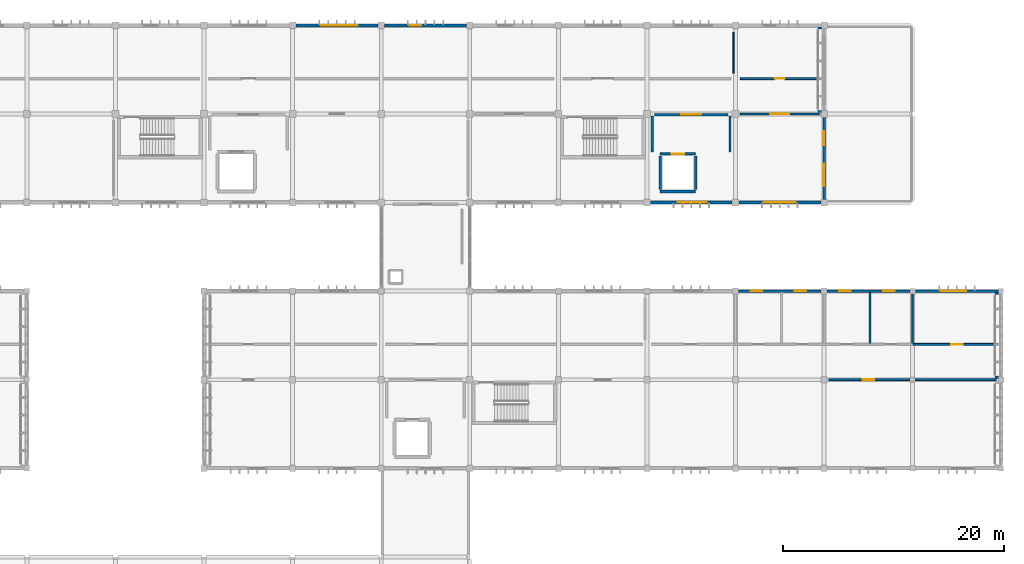
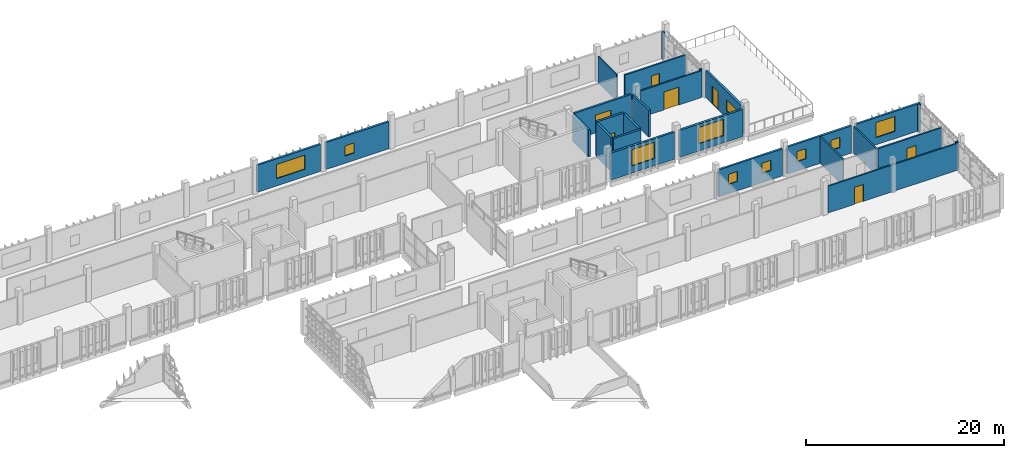
# One storey, part 38 of 48: 26 walls, 10 windows, 7 doors, 17 openings.
"""IFC4 building model written with IfcOpenShell, lengths in metres."""

from ifc_helpers import new_model, si_unit, direction, frame, frame_2d, origin, place, context, subcontext, project, spatial, rectangle, extrude, material, layer, layer_set, type_object, element, fill, save


model = new_model("IFC4")

# Units and contexts
model_context = context("Model", 3, precision=1e-05, world=origin(), true_north=direction((0.0, 1.0)))
body_context = subcontext(model_context, "Body", "Model", "MODEL_VIEW")
ifc_project = project(units=[si_unit("LENGTHUNIT", "METRE"), si_unit("AREAUNIT", "SQUARE_METRE"), si_unit("VOLUMEUNIT", "CUBIC_METRE"), si_unit("PLANEANGLEUNIT", "RADIAN"), si_unit("MASSUNIT", "GRAM", prefix="KILO")], contexts=[model_context])

# Site, building, storey
site_placement = place(None, origin())
site = spatial("IfcSite", under=ifc_project, at=site_placement, CompositionType="ELEMENT")
building_placement = place(site_placement, origin())
building = spatial("IfcBuilding", under=site, at=building_placement, Name="Jelvoka-Kovrelna Polytechnic", CompositionType="ELEMENT")
storey_placement = place(building_placement, frame((0.0, 0.0, 22.199951171875)))
storey = spatial("IfcBuildingStorey", under=building, at=storey_placement, Name="L06", CompositionType="ELEMENT", Elevation=22.199951171875)

# Wall, opening, door
ifc_material_1 = material(Name="Concrete C35/45", Category="concrete")
ifc_layer_1 = layer(ifc_material_1, 0.219970703125)
ifc_layer_set_1 = layer_set([ifc_layer_1], Name="Concrete C35/45")
wall_type_1 = type_object("IfcWallType", Name="Wall_Compartment_220", PredefinedType="PARTITIONING", material=ifc_layer_set_1)
wall_1_placement = place(storey_placement, frame((168.699951171875, 63.949951171875, 0.0), z_axis=(0.0, 0.0, 1.0), x_axis=(1.0, 0.0, 0.0)))
wall_1 = element("IfcWall", 1, at=wall_1_placement, inside=storey, type_object=wall_type_1, Name="L06 interior wall 0374", PredefinedType="PARTITIONING", context=body_context, shape_type="SweptSolid", body=[
    extrude(rectangle(XDim=6.60009765625, YDim=0.219970703125, at=frame_2d((3.300048828125, 0.0))), origin(), (0.0, 0.0, 1.0), 3.300048828125),
])
opening_1_placement = place(wall_1_placement, frame((2.39990234375, 0.0, 0.0)))
opening_1 = element("IfcOpeningElement", 2, at=opening_1_placement, cuts=wall_1, Name="Opening FD-L06-079", PredefinedType="OPENING", context=body_context, shape_type="SweptSolid", body=[
    extrude(rectangle(XDim=1.800048828125, YDim=2.199951171875, at=frame_2d((0.89990234375, 1.10009765625))), frame((0.0, 0.119873046875, 0.0), z_axis=(0.0, -1.0, 0.0), x_axis=(1.0, 0.0, 0.0)), (0.0, 0.0, 1.0), 0.239990234375),
])
ifc_material_2 = material(Name="Paired steel corridor fire door", Category="steel")
door_type_1 = type_object("IfcDoorType", Name="Door_Fire_FD03", OperationType="NOTDEFINED", PredefinedType="DOOR", material=ifc_material_2)
door_1_placement = place(opening_1_placement, origin())
door_1 = element("IfcDoor", 3, at=door_1_placement, inside=storey, type_object=door_type_1, Name="L06 interior door FD-L06-079", OperationType="DOUBLE_DOOR_SINGLE_SWING", OverallHeight=2.199951171875, OverallWidth=1.800048828125, PredefinedType="DOOR", context=body_context, shape_type="SweptSolid", body=[
    extrude(rectangle(XDim=1.800048828125, YDim=2.199951171875, at=frame_2d((0.89990234375, 1.10009765625))), frame((0.0, 0.02490234375, 0.0), z_axis=(0.0, -1.0, 0.0), x_axis=(1.0, 0.0, 0.0)), (0.0, 0.0, 1.0), 0.050048828125),
])
fill(opening_1, door_1)

# Walls
for number, where, z_axis, x_axis, name in (
    (4, (168.5, 60.550048828125, 0.0), (0.0, 0.0, 1.0), (0.0, 1.0, 0.0), "L06 interior wall 0375"),
    (5, (175.5, 60.550048828125, 0.0), (0.0, 0.0, 1.0), (0.0, 1.0, 0.0), "L06 interior wall 0376"),
):
    element("IfcWall", number, at=place(storey_placement, frame(where, z_axis=z_axis, x_axis=x_axis)), inside=storey, type_object=wall_type_1, Name=name, PredefinedType="PARTITIONING", context=body_context, shape_type="SweptSolid", body=[
        extrude(rectangle(XDim=3.25, YDim=0.219970703125, at=frame_2d((1.625, 0.0))), origin(), (0.0, 0.0, 1.0), 3.300048828125),
    ])
ifc_material_3 = material(Name="Concrete C40/50", Category="concrete")
ifc_layer_2 = layer(ifc_material_3, 0.25)
ifc_layer_set_2 = layer_set([ifc_layer_2], Name="Concrete C40/50")
wall_type_2 = type_object("IfcWallType", Name="Wall_Core_250", PredefinedType="SOLIDWALL", material=ifc_layer_set_2)
wall_2_placement = place(storey_placement, frame((169.199951171875, 57.0, 0.0), z_axis=(0.0, 0.0, 1.0), x_axis=(1.0, 0.0, 0.0)))
element("IfcWall", 6, at=wall_2_placement, inside=storey, type_object=wall_type_2, Name="L06 interior wall 0370", PredefinedType="SOLIDWALL", context=body_context, shape_type="SweptSolid", body=[
    extrude(rectangle(XDim=3.199951171875, YDim=0.25, at=frame_2d((1.60009765625, 0.0))), origin(), (0.0, 0.0, 1.0), 4.199951171875),
])

# Wall, opening, door
wall_3_placement = place(storey_placement, frame((169.199951171875, 60.39990234375, 0.0), z_axis=(0.0, 0.0, 1.0), x_axis=(1.0, 0.0, 0.0)))
wall_3 = element("IfcWall", 7, at=wall_3_placement, inside=storey, type_object=wall_type_2, Name="L06 interior wall 0371", PredefinedType="SOLIDWALL", context=body_context, shape_type="SweptSolid", body=[
    extrude(rectangle(XDim=3.199951171875, YDim=0.25, at=frame_2d((1.60009765625, 0.0))), origin(), (0.0, 0.0, 1.0), 4.199951171875),
])
opening_2_placement = place(wall_3_placement, frame((1.050048828125, 0.0, 0.0)))
opening_2 = element("IfcOpeningElement", 8, at=opening_2_placement, cuts=wall_3, Name="Opening LD-L06-16", PredefinedType="OPENING", context=body_context, shape_type="SweptSolid", body=[
    extrude(rectangle(XDim=1.10009765625, YDim=2.14990234375, at=frame_2d((0.550048828125, 1.074951171875))), frame((0.0, 0.135009765625, 0.0), z_axis=(0.0, -1.0, 0.0), x_axis=(1.0, 0.0, 0.0)), (0.0, 0.0, 1.0), 0.27001953125),
])
ifc_material_4 = material(Name="Brushed stainless steel sliding landing door", Category="steel")
door_type_2 = type_object("IfcDoorType", Name="Door_Lift_LD01", OperationType="NOTDEFINED", PredefinedType="DOOR", material=ifc_material_4)
door_2_placement = place(opening_2_placement, origin())
door_2 = element("IfcDoor", 9, at=door_2_placement, inside=storey, type_object=door_type_2, Name="L06 lift landing sliding door LD-L06-16", OperationType="DOUBLE_DOOR_SLIDING", OverallHeight=2.14990234375, OverallWidth=1.10009765625, PredefinedType="DOOR", context=body_context, shape_type="SweptSolid", body=[
    extrude(rectangle(XDim=1.10009765625, YDim=2.14990234375, at=frame_2d((0.550048828125, 1.074951171875))), frame((0.0, 0.02490234375, 0.0), z_axis=(0.0, -1.0, 0.0), x_axis=(1.0, 0.0, 0.0)), (0.0, 0.0, 1.0), 0.050048828125),
])
fill(opening_2, door_2)

# Walls
for number, where, z_axis, x_axis, name in (
    (10, (169.199951171875, 57.199951171875, 0.0), (0.0, 0.0, 1.0), (0.0, 1.0, 0.0), "L06 interior wall 0372"),
    (11, (172.39990234375, 57.199951171875, 0.0), (0.0, 0.0, 1.0), (0.0, 1.0, 0.0), "L06 interior wall 0373"),
):
    element("IfcWall", number, at=place(storey_placement, frame(where, z_axis=z_axis, x_axis=x_axis)), inside=storey, type_object=wall_type_2, Name=name, PredefinedType="SOLIDWALL", context=body_context, shape_type="SweptSolid", body=[
        extrude(rectangle(XDim=3.0, YDim=0.25, at=frame_2d((1.5, 0.0))), origin(), (0.0, 0.0, 1.0), 4.199951171875),
    ])

# Wall, opening, door
ifc_material_5 = material(Name="Autoclaved aerated concrete blockwork", Category="masonry")
ifc_layer_3 = layer(ifc_material_5, 0.179931640625)
ifc_layer_set_3 = layer_set([ifc_layer_3], Name="Autoclaved aerated concrete blockwork")
wall_type_3 = type_object("IfcWallType", Name="Wall_Corridor_180", PredefinedType="PARTITIONING", material=ifc_layer_set_3)
wall_4_placement = place(storey_placement, frame((184.429931640625, 40.0, 0.0), z_axis=(0.0, 0.0, 1.0), x_axis=(1.0, 0.0, 0.0)))
wall_4 = element("IfcWall", 12, at=wall_4_placement, inside=storey, type_object=wall_type_3, Name="L06 interior wall 1246", PredefinedType="PARTITIONING", context=body_context, shape_type="SweptSolid", body=[
    extrude(rectangle(XDim=15.14013671875, YDim=0.179931640625, at=frame_2d((7.570068359375, 0.0))), origin(), (0.0, 0.0, 1.0), 3.300048828125),
])
opening_3_placement = place(wall_4_placement, frame((3.0400390625, 0.0, 0.0)))
opening_3 = element("IfcOpeningElement", 13, at=opening_3_placement, cuts=wall_4, Name="Opening D-L06-422", PredefinedType="OPENING", context=body_context, shape_type="SweptSolid", body=[
    extrude(rectangle(XDim=1.06005859375, YDim=2.10009765625, at=frame_2d((0.530029296875, 1.050048828125))), frame((0.0, 0.099853515625, 0.0), z_axis=(0.0, -1.0, 0.0), x_axis=(1.0, 0.0, 0.0)), (0.0, 0.0, 1.0), 0.199951171875),
])
ifc_material_6 = material(Name="Hardwood solid-core door", Category="wood")
door_type_3 = type_object("IfcDoorType", Name="Door_Int_D05", OperationType="NOTDEFINED", PredefinedType="DOOR", material=ifc_material_6)
door_3_placement = place(opening_3_placement, origin())
door_3 = element("IfcDoor", 14, at=door_3_placement, inside=storey, type_object=door_type_3, Name="L06 interior door D-L06-422", OperationType="SINGLE_SWING_LEFT", OverallHeight=2.10009765625, OverallWidth=1.06005859375, PredefinedType="DOOR", context=body_context, shape_type="SweptSolid", body=[
    extrude(rectangle(XDim=1.06005859375, YDim=2.10009765625, at=frame_2d((0.530029296875, 1.050048828125))), frame((0.0, 0.02490234375, 0.0), z_axis=(0.0, -1.0, 0.0), x_axis=(1.0, 0.0, 0.0)), (0.0, 0.0, 1.0), 0.050048828125),
])
fill(opening_3, door_3)

wall_5_placement = place(storey_placement, frame((192.074951171875, 43.199951171875, 0.0), z_axis=(0.0, 0.0, 1.0), x_axis=(1.0, 0.0, 0.0)))
wall_5 = element("IfcWall", 15, at=wall_5_placement, inside=storey, type_object=wall_type_3, Name="L06 interior wall 1251", PredefinedType="PARTITIONING", context=body_context, shape_type="SweptSolid", body=[
    extrude(rectangle(XDim=7.4951171875, YDim=0.179931640625, at=frame_2d((3.74755859375, 0.0))), origin(), (0.0, 0.0, 1.0), 3.300048828125),
])
opening_4_placement = place(wall_5_placement, frame((3.39990234375, 0.0, 0.0)))
opening_4 = element("IfcOpeningElement", 16, at=opening_4_placement, cuts=wall_5, Name="Opening D-L06-426", PredefinedType="OPENING", context=body_context, shape_type="SweptSolid", body=[
    extrude(rectangle(XDim=1.050048828125, YDim=2.14990234375, at=frame_2d((0.52490234375, 1.074951171875))), frame((0.0, 0.099853515625, 0.0), z_axis=(0.0, -1.0, 0.0), x_axis=(1.0, 0.0, 0.0)), (0.0, 0.0, 1.0), 0.199951171875),
])
ifc_material_7 = material(Name="Hardwood fire-resisting laboratory door", Category="wood")
door_type_4 = type_object("IfcDoorType", Name="Door_Fire_FD30_02", OperationType="NOTDEFINED", PredefinedType="DOOR", material=ifc_material_7)
door_4_placement = place(opening_4_placement, origin())
door_4 = element("IfcDoor", 17, at=door_4_placement, inside=storey, type_object=door_type_4, Name="L06 interior door D-L06-426", OperationType="SINGLE_SWING_RIGHT", OverallHeight=2.14990234375, OverallWidth=1.050048828125, PredefinedType="DOOR", context=body_context, shape_type="SweptSolid", body=[
    extrude(rectangle(XDim=1.050048828125, YDim=2.14990234375, at=frame_2d((0.52490234375, 1.074951171875))), frame((0.0, 0.02490234375, 0.0), z_axis=(0.0, -1.0, 0.0), x_axis=(1.0, 0.0, 0.0)), (0.0, 0.0, 1.0), 0.050048828125),
])
fill(opening_4, door_4)

wall_6_placement = place(storey_placement, frame((176.429931640625, 64.0, 0.0), z_axis=(0.0, 0.0, 1.0), x_axis=(1.0, 0.0, 0.0)))
wall_6 = element("IfcWall", 18, at=wall_6_placement, inside=storey, type_object=wall_type_3, Name="L06 interior wall 1258", PredefinedType="PARTITIONING", context=body_context, shape_type="SweptSolid", body=[
    extrude(rectangle(XDim=7.14013671875, YDim=0.179931640625, at=frame_2d((3.570068359375, 0.0))), origin(), (0.0, 0.0, 1.0), 3.300048828125),
])
opening_5_placement = place(wall_6_placement, frame((2.699951171875, 0.0, 0.0)))
opening_5 = element("IfcOpeningElement", 19, at=opening_5_placement, cuts=wall_6, Name="Opening D-L06-431", PredefinedType="OPENING", context=body_context, shape_type="SweptSolid", body=[
    extrude(rectangle(XDim=1.739990234375, YDim=2.219970703125, at=frame_2d((0.8701171875, 1.10986328125))), frame((0.0, 0.099853515625, 0.0), z_axis=(0.0, -1.0, 0.0), x_axis=(1.0, 0.0, 0.0)), (0.0, 0.0, 1.0), 0.199951171875),
])
ifc_material_8 = material(Name="Paired hardwood fire-resisting refectory door", Category="wood")
door_type_5 = type_object("IfcDoorType", Name="Door_Fire_FD30_09", OperationType="NOTDEFINED", PredefinedType="DOOR", material=ifc_material_8)
door_5_placement = place(opening_5_placement, origin())
door_5 = element("IfcDoor", 20, at=door_5_placement, inside=storey, type_object=door_type_5, Name="L06 interior door D-L06-431", OperationType="DOUBLE_DOOR_SINGLE_SWING", OverallHeight=2.219970703125, OverallWidth=1.739990234375, PredefinedType="DOOR", context=body_context, shape_type="SweptSolid", body=[
    extrude(rectangle(XDim=1.739990234375, YDim=2.219970703125, at=frame_2d((0.8701171875, 1.10986328125))), frame((0.0, 0.02490234375, 0.0), z_axis=(0.0, -1.0, 0.0), x_axis=(1.0, 0.0, 0.0)), (0.0, 0.0, 1.0), 0.050048828125),
])
fill(opening_5, door_5)

wall_7_placement = place(storey_placement, frame((176.429931640625, 67.199951171875, 0.0), z_axis=(0.0, 0.0, 1.0), x_axis=(1.0, 0.0, 0.0)))
wall_7 = element("IfcWall", 21, at=wall_7_placement, inside=storey, type_object=wall_type_3, Name="L06 interior wall 1266", PredefinedType="PARTITIONING", context=body_context, shape_type="SweptSolid", body=[
    extrude(rectangle(XDim=7.14013671875, YDim=0.179931640625, at=frame_2d((3.570068359375, 0.0))), origin(), (0.0, 0.0, 1.0), 3.300048828125),
])
opening_6_placement = place(wall_7_placement, frame((3.10009765625, 0.0, 0.0)))
opening_6 = element("IfcOpeningElement", 22, at=opening_6_placement, cuts=wall_7, Name="Opening D-L06-437", PredefinedType="OPENING", context=body_context, shape_type="SweptSolid", body=[
    extrude(rectangle(XDim=0.93994140625, YDim=2.10009765625, at=frame_2d((0.469970703125, 1.050048828125))), frame((0.0, 0.099853515625, 0.0), z_axis=(0.0, -1.0, 0.0), x_axis=(1.0, 0.0, 0.0)), (0.0, 0.0, 1.0), 0.199951171875),
])
ifc_material_9 = material(Name="Hardwood solid-core door", Category="wood")
door_type_6 = type_object("IfcDoorType", Name="Door_Int_D02", OperationType="NOTDEFINED", PredefinedType="DOOR", material=ifc_material_9)
door_6_placement = place(opening_6_placement, origin())
door_6 = element("IfcDoor", 23, at=door_6_placement, inside=storey, type_object=door_type_6, Name="L06 interior door D-L06-437", OperationType="SINGLE_SWING_LEFT", OverallHeight=2.10009765625, OverallWidth=0.93994140625, PredefinedType="DOOR", context=body_context, shape_type="SweptSolid", body=[
    extrude(rectangle(XDim=0.93994140625, YDim=2.10009765625, at=frame_2d((0.469970703125, 1.050048828125))), frame((0.0, 0.02490234375, 0.0), z_axis=(0.0, -1.0, 0.0), x_axis=(1.0, 0.0, 0.0)), (0.0, 0.0, 1.0), 0.050048828125),
])
fill(opening_6, door_6)

# Wall, openings, windows
ifc_material_10 = material(Name="Precast concrete C40/50", Category="concrete")
ifc_layer_4 = layer(ifc_material_10, 0.239990234375)
ifc_layer_set_4 = layer_set([ifc_layer_4], Name="Precast concrete C40/50")
wall_type_4 = type_object("IfcWallType", Name="Wall_Ext_White_240", PredefinedType="STANDARD", material=ifc_layer_set_4)
wall_8_placement = place(storey_placement, frame((176.27197265625, 48.0, 0.0), z_axis=(0.0, 0.0, 1.0), x_axis=(1.0, 0.0, 0.0)))
wall_8 = element("IfcWall", 24, at=wall_8_placement, inside=storey, type_object=wall_type_4, Name="L06 exterior wall 0542", PredefinedType="STANDARD", context=body_context, shape_type="SweptSolid", body=[
    extrude(rectangle(XDim=7.4560546875, YDim=0.239990234375, at=frame_2d((3.72802734375, 0.0))), origin(), (0.0, 0.0, 1.0), 3.3349609375),
])
opening_7_placement = place(wall_8_placement, frame((1.10791015625, 0.0, 1.14990234375)))
opening_7 = element("IfcOpeningElement", 25, at=opening_7_placement, cuts=wall_8, Name="Opening W-L06-235", PredefinedType="OPENING", context=body_context, shape_type="SweptSolid", body=[
    extrude(rectangle(XDim=1.050048828125, YDim=1.25, at=frame_2d((0.52490234375, 0.625))), frame((0.0, 0.130126953125, 0.0), z_axis=(0.0, -1.0, 0.0), x_axis=(1.0, 0.0, 0.0)), (0.0, 0.0, 1.0), 0.260009765625),
])
opening_8_placement = place(wall_8_placement, frame((5.05810546875, 0.0, 1.14990234375)))
opening_8 = element("IfcOpeningElement", 26, at=opening_8_placement, cuts=wall_8, Name="Opening W-L06-236", PredefinedType="OPENING", context=body_context, shape_type="SweptSolid", body=[
    extrude(rectangle(XDim=1.050048828125, YDim=1.25, at=frame_2d((0.52490234375, 0.625))), frame((0.0, 0.130126953125, 0.0), z_axis=(0.0, -1.0, 0.0), x_axis=(1.0, 0.0, 0.0)), (0.0, 0.0, 1.0), 0.260009765625),
])
ifc_material_11 = material(Name="Thermally broken anodised aluminium and low-e glazing", Category="aluminium")
window_type_1 = type_object("IfcWindowType", Name="Win_Casement_W01", PartitioningType="SINGLE_PANEL", PredefinedType="WINDOW", material=ifc_material_11)
window_1_placement = place(opening_7_placement, origin())
window_1 = element("IfcWindow", 27, at=window_1_placement, inside=storey, type_object=window_type_1, Name="L06 aluminium casement window W-L06-235", OverallHeight=1.25, OverallWidth=1.050048828125, PartitioningType="SINGLE_PANEL", PredefinedType="WINDOW", context=body_context, shape_type="SweptSolid", body=[
    extrude(rectangle(XDim=1.050048828125, YDim=1.25, at=frame_2d((0.52490234375, 0.625))), frame((0.0, 0.030029296875, 0.0), z_axis=(0.0, -1.0, 0.0), x_axis=(1.0, 0.0, 0.0)), (0.0, 0.0, 1.0), 0.06005859375),
])
fill(opening_7, window_1)
window_2_placement = place(opening_8_placement, origin())
window_2 = element("IfcWindow", 28, at=window_2_placement, inside=storey, type_object=window_type_1, Name="L06 aluminium casement window W-L06-236", OverallHeight=1.25, OverallWidth=1.050048828125, PartitioningType="SINGLE_PANEL", PredefinedType="WINDOW", context=body_context, shape_type="SweptSolid", body=[
    extrude(rectangle(XDim=1.050048828125, YDim=1.25, at=frame_2d((0.52490234375, 0.625))), frame((0.0, 0.030029296875, 0.0), z_axis=(0.0, -1.0, 0.0), x_axis=(1.0, 0.0, 0.0)), (0.0, 0.0, 1.0), 0.06005859375),
])
fill(opening_8, window_2)

wall_9_placement = place(storey_placement, frame((184.27197265625, 48.0, 0.0), z_axis=(0.0, 0.0, 1.0), x_axis=(1.0, 0.0, 0.0)))
wall_9 = element("IfcWall", 29, at=wall_9_placement, inside=storey, type_object=wall_type_4, Name="L06 exterior wall 0544", PredefinedType="STANDARD", context=body_context, shape_type="SweptSolid", body=[
    extrude(rectangle(XDim=7.48095703125, YDim=0.239990234375, at=frame_2d((3.740478515625, 0.0))), origin(), (0.0, 0.0, 1.0), 3.35009765625),
])
opening_9_placement = place(wall_9_placement, frame((1.10791015625, 0.0, 1.14990234375)))
opening_9 = element("IfcOpeningElement", 30, at=opening_9_placement, cuts=wall_9, Name="Opening W-L06-238", PredefinedType="OPENING", context=body_context, shape_type="SweptSolid", body=[
    extrude(rectangle(XDim=1.050048828125, YDim=1.25, at=frame_2d((0.52490234375, 0.625))), frame((0.0, 0.130126953125, 0.0), z_axis=(0.0, -1.0, 0.0), x_axis=(1.0, 0.0, 0.0)), (0.0, 0.0, 1.0), 0.260009765625),
])
opening_10_placement = place(wall_9_placement, frame((5.05810546875, 0.0, 1.14990234375)))
opening_10 = element("IfcOpeningElement", 31, at=opening_10_placement, cuts=wall_9, Name="Opening W-L06-239", PredefinedType="OPENING", context=body_context, shape_type="SweptSolid", body=[
    extrude(rectangle(XDim=1.050048828125, YDim=1.25, at=frame_2d((0.52490234375, 0.625))), frame((0.0, 0.130126953125, 0.0), z_axis=(0.0, -1.0, 0.0), x_axis=(1.0, 0.0, 0.0)), (0.0, 0.0, 1.0), 0.260009765625),
])
window_3_placement = place(opening_9_placement, origin())
window_3 = element("IfcWindow", 32, at=window_3_placement, inside=storey, type_object=window_type_1, Name="L06 aluminium casement window W-L06-238", OverallHeight=1.25, OverallWidth=1.050048828125, PartitioningType="SINGLE_PANEL", PredefinedType="WINDOW", context=body_context, shape_type="SweptSolid", body=[
    extrude(rectangle(XDim=1.050048828125, YDim=1.25, at=frame_2d((0.52490234375, 0.625))), frame((0.0, 0.030029296875, 0.0), z_axis=(0.0, -1.0, 0.0), x_axis=(1.0, 0.0, 0.0)), (0.0, 0.0, 1.0), 0.06005859375),
])
fill(opening_9, window_3)
window_4_placement = place(opening_10_placement, origin())
window_4 = element("IfcWindow", 33, at=window_4_placement, inside=storey, type_object=window_type_1, Name="L06 aluminium casement window W-L06-239", OverallHeight=1.25, OverallWidth=1.050048828125, PartitioningType="SINGLE_PANEL", PredefinedType="WINDOW", context=body_context, shape_type="SweptSolid", body=[
    extrude(rectangle(XDim=1.050048828125, YDim=1.25, at=frame_2d((0.52490234375, 0.625))), frame((0.0, 0.030029296875, 0.0), z_axis=(0.0, -1.0, 0.0), x_axis=(1.0, 0.0, 0.0)), (0.0, 0.0, 1.0), 0.06005859375),
])
fill(opening_10, window_4)

# Wall, opening, window
wall_10_placement = place(storey_placement, frame((192.2470703125, 48.0, 0.0), z_axis=(0.0, 0.0, 1.0), x_axis=(1.0, 0.0, 0.0)))
wall_10 = element("IfcWall", 34, at=wall_10_placement, inside=storey, type_object=wall_type_4, Name="L06 exterior wall 0546", PredefinedType="STANDARD", context=body_context, shape_type="SweptSolid", body=[
    extrude(rectangle(XDim=7.531005859375, YDim=0.239990234375, at=frame_2d((3.765625, 0.0))), origin(), (0.0, 0.0, 1.0), 3.35009765625),
])
opening_11_placement = place(wall_10_placement, frame((2.3330078125, 0.0, 0.89990234375)))
opening_11 = element("IfcOpeningElement", 35, at=opening_11_placement, cuts=wall_10, Name="Opening W-L06-241", PredefinedType="OPENING", context=body_context, shape_type="SweptSolid", body=[
    extrude(rectangle(XDim=2.25, YDim=1.85009765625, at=frame_2d((1.125, 0.925048828125))), frame((0.0, 0.130126953125, 0.0), z_axis=(0.0, -1.0, 0.0), x_axis=(1.0, 0.0, 0.0)), (0.0, 0.0, 1.0), 0.260009765625),
])
ifc_material_12 = material(Name="Thermally broken anodised aluminium and low-e glazing", Category="aluminium")
window_type_2 = type_object("IfcWindowType", Name="Win_Casement_W47", PartitioningType="DOUBLE_PANEL_VERTICAL", PredefinedType="WINDOW", material=ifc_material_12)
window_5_placement = place(opening_11_placement, origin())
window_5 = element("IfcWindow", 36, at=window_5_placement, inside=storey, type_object=window_type_2, Name="L06 aluminium casement window W-L06-241", OverallHeight=1.85009765625, OverallWidth=2.25, PartitioningType="DOUBLE_PANEL_VERTICAL", PredefinedType="WINDOW", context=body_context, shape_type="SweptSolid", body=[
    extrude(rectangle(XDim=2.25, YDim=1.85009765625, at=frame_2d((1.125, 0.925048828125))), frame((0.0, 0.030029296875, 0.0), z_axis=(0.0, -1.0, 0.0), x_axis=(1.0, 0.0, 0.0)), (0.0, 0.0, 1.0), 0.06005859375),
])
fill(opening_11, window_5)

wall_11_placement = place(storey_placement, frame((136.297119140625, 72.0, 0.0), z_axis=(0.0, 0.0, 1.0), x_axis=(1.0, 0.0, 0.0)))
wall_11 = element("IfcWall", 37, at=wall_11_placement, inside=storey, type_object=wall_type_4, Name="L06 exterior wall 0765", PredefinedType="STANDARD", context=body_context, shape_type="SweptSolid", body=[
    extrude(rectangle(XDim=7.40576171875, YDim=0.239990234375, at=frame_2d((3.702880859375, 0.0))), origin(), (0.0, 0.0, 1.0), 3.3349609375),
])
opening_12_placement = place(wall_11_placement, frame((2.282958984375, 0.0, 0.89990234375)))
opening_12 = element("IfcOpeningElement", 38, at=opening_12_placement, cuts=wall_11, Name="Opening W-L06-423", PredefinedType="OPENING", context=body_context, shape_type="SweptSolid", body=[
    extrude(rectangle(XDim=3.300048828125, YDim=1.75, at=frame_2d((1.64990234375, 0.875))), frame((0.0, 0.130126953125, 0.0), z_axis=(0.0, -1.0, 0.0), x_axis=(1.0, 0.0, 0.0)), (0.0, 0.0, 1.0), 0.260009765625),
])
ifc_material_13 = material(Name="Thermally broken anodised aluminium and low-e glazing", Category="aluminium")
window_type_3 = type_object("IfcWindowType", Name="Win_Casement_W62", PartitioningType="DOUBLE_PANEL_VERTICAL", PredefinedType="WINDOW", material=ifc_material_13)
window_6_placement = place(opening_12_placement, origin())
window_6 = element("IfcWindow", 39, at=window_6_placement, inside=storey, type_object=window_type_3, Name="L06 aluminium casement window W-L06-423", OverallHeight=1.75, OverallWidth=3.300048828125, PartitioningType="DOUBLE_PANEL_VERTICAL", PredefinedType="WINDOW", context=body_context, shape_type="SweptSolid", body=[
    extrude(rectangle(XDim=3.300048828125, YDim=1.75, at=frame_2d((1.64990234375, 0.875))), frame((0.0, 0.030029296875, 0.0), z_axis=(0.0, -1.0, 0.0), x_axis=(1.0, 0.0, 0.0)), (0.0, 0.0, 1.0), 0.06005859375),
])
fill(opening_12, window_6)

wall_12_placement = place(storey_placement, frame((144.297119140625, 72.0, 0.0), z_axis=(0.0, 0.0, 1.0), x_axis=(1.0, 0.0, 0.0)))
wall_12 = element("IfcWall", 40, at=wall_12_placement, inside=storey, type_object=wall_type_4, Name="L06 exterior wall 0766", PredefinedType="STANDARD", context=body_context, shape_type="SweptSolid", body=[
    extrude(rectangle(XDim=7.40576171875, YDim=0.239990234375, at=frame_2d((3.702880859375, 0.0))), origin(), (0.0, 0.0, 1.0), 3.3349609375),
])
opening_13_placement = place(wall_12_placement, frame((2.282958984375, 0.0, 0.89990234375)))
opening_13 = element("IfcOpeningElement", 41, at=opening_13_placement, cuts=wall_12, Name="Opening W-L06-424", PredefinedType="OPENING", context=body_context, shape_type="SweptSolid", body=[
    extrude(rectangle(XDim=1.050048828125, YDim=1.25, at=frame_2d((0.52490234375, 0.625))), frame((0.0, 0.130126953125, 0.0), z_axis=(0.0, -1.0, 0.0), x_axis=(1.0, 0.0, 0.0)), (0.0, 0.0, 1.0), 0.260009765625),
])
window_7_placement = place(opening_13_placement, origin())
window_7 = element("IfcWindow", 42, at=window_7_placement, inside=storey, type_object=window_type_1, Name="L06 aluminium casement window W-L06-424", OverallHeight=1.25, OverallWidth=1.050048828125, PartitioningType="SINGLE_PANEL", PredefinedType="WINDOW", context=body_context, shape_type="SweptSolid", body=[
    extrude(rectangle(XDim=1.050048828125, YDim=1.25, at=frame_2d((0.52490234375, 0.625))), frame((0.0, 0.030029296875, 0.0), z_axis=(0.0, -1.0, 0.0), x_axis=(1.0, 0.0, 0.0)), (0.0, 0.0, 1.0), 0.06005859375),
])
fill(opening_13, window_7)

wall_13_placement = place(storey_placement, frame((175.702880859375, 56.0, 0.0), z_axis=(0.0, 0.0, 1.0), x_axis=(-1.0, 0.0, 0.0)))
wall_13 = element("IfcWall", 43, at=wall_13_placement, inside=storey, type_object=wall_type_4, Name="L06 exterior wall 0771", PredefinedType="STANDARD", context=body_context, shape_type="SweptSolid", body=[
    extrude(rectangle(XDim=7.40576171875, YDim=0.239990234375, at=frame_2d((3.702880859375, 0.0))), origin(), (0.0, 0.0, 1.0), 3.3349609375),
])
opening_14_placement = place(wall_13_placement, frame((2.282958984375, 0.0, 0.89990234375)))
opening_14 = element("IfcOpeningElement", 44, at=opening_14_placement, cuts=wall_13, Name="Opening W-L06-429", PredefinedType="OPENING", context=body_context, shape_type="SweptSolid", body=[
    extrude(rectangle(XDim=2.64990234375, YDim=2.0, at=frame_2d((1.324951171875, 1.0))), frame((0.0, 0.130126953125, 0.0), z_axis=(0.0, -1.0, 0.0), x_axis=(1.0, 0.0, 0.0)), (0.0, 0.0, 1.0), 0.260009765625),
])
ifc_material_14 = material(Name="Thermally broken anodised aluminium and low-e glazing", Category="aluminium")
window_type_4 = type_object("IfcWindowType", Name="Win_Casement_W59", PartitioningType="DOUBLE_PANEL_VERTICAL", PredefinedType="WINDOW", material=ifc_material_14)
window_8_placement = place(opening_14_placement, origin())
window_8 = element("IfcWindow", 45, at=window_8_placement, inside=storey, type_object=window_type_4, Name="L06 aluminium casement window W-L06-429", OverallHeight=2.0, OverallWidth=2.64990234375, PartitioningType="DOUBLE_PANEL_VERTICAL", PredefinedType="WINDOW", context=body_context, shape_type="SweptSolid", body=[
    extrude(rectangle(XDim=2.64990234375, YDim=2.0, at=frame_2d((1.324951171875, 1.0))), frame((0.0, 0.030029296875, 0.0), z_axis=(0.0, -1.0, 0.0), x_axis=(1.0, 0.0, 0.0)), (0.0, 0.0, 1.0), 0.06005859375),
])
fill(opening_14, window_8)

wall_14_placement = place(storey_placement, frame((183.702880859375, 56.0, 0.0), z_axis=(0.0, 0.0, 1.0), x_axis=(-1.0, 0.0, 0.0)))
wall_14 = element("IfcWall", 46, at=wall_14_placement, inside=storey, type_object=wall_type_4, Name="L06 exterior wall 0773", PredefinedType="STANDARD", context=body_context, shape_type="SweptSolid", body=[
    extrude(rectangle(XDim=7.40576171875, YDim=0.239990234375, at=frame_2d((3.702880859375, 0.0))), origin(), (0.0, 0.0, 1.0), 3.3349609375),
])
opening_15_placement = place(wall_14_placement, frame((2.282958984375, 0.0, 0.89990234375)))
opening_15 = element("IfcOpeningElement", 47, at=opening_15_placement, cuts=wall_14, Name="Opening W-L06-431", PredefinedType="OPENING", context=body_context, shape_type="SweptSolid", body=[
    extrude(rectangle(XDim=2.85009765625, YDim=2.0, at=frame_2d((1.425048828125, 1.0))), frame((0.0, 0.130126953125, 0.0), z_axis=(0.0, -1.0, 0.0), x_axis=(1.0, 0.0, 0.0)), (0.0, 0.0, 1.0), 0.260009765625),
])
ifc_material_15 = material(Name="Thermally broken anodised aluminium and low-e glazing", Category="aluminium")
window_type_5 = type_object("IfcWindowType", Name="Win_Casement_W60", PartitioningType="DOUBLE_PANEL_VERTICAL", PredefinedType="WINDOW", material=ifc_material_15)
window_9_placement = place(opening_15_placement, origin())
window_9 = element("IfcWindow", 48, at=window_9_placement, inside=storey, type_object=window_type_5, Name="L06 aluminium casement window W-L06-431", OverallHeight=2.0, OverallWidth=2.85009765625, PartitioningType="DOUBLE_PANEL_VERTICAL", PredefinedType="WINDOW", context=body_context, shape_type="SweptSolid", body=[
    extrude(rectangle(XDim=2.85009765625, YDim=2.0, at=frame_2d((1.425048828125, 1.0))), frame((0.0, 0.030029296875, 0.0), z_axis=(0.0, -1.0, 0.0), x_axis=(1.0, 0.0, 0.0)), (0.0, 0.0, 1.0), 0.06005859375),
])
fill(opening_15, window_9)

# Wall, openings, door, window
wall_15_placement = place(storey_placement, frame((184.0, 63.702880859375, 0.0), z_axis=(0.0, 0.0, 1.0), x_axis=(0.0, -1.0, 0.0)))
wall_15 = element("IfcWall", 49, at=wall_15_placement, inside=storey, type_object=wall_type_4, Name="L06 exterior wall 0778", PredefinedType="STANDARD", context=body_context, shape_type="SweptSolid", body=[
    extrude(rectangle(XDim=7.40576171875, YDim=0.239990234375, at=frame_2d((3.702880859375, 0.0))), origin(), (0.0, 0.0, 1.0), 3.3349609375),
])
opening_16_placement = place(wall_15_placement, frame((1.282958984375, 0.0, 0.0)))
opening_16 = element("IfcOpeningElement", 50, at=opening_16_placement, cuts=wall_15, Name="Opening TD-L06-017", PredefinedType="OPENING", context=body_context, shape_type="SweptSolid", body=[
    extrude(rectangle(XDim=1.25, YDim=2.199951171875, at=frame_2d((0.625, 1.10009765625))), frame((0.0, 0.130126953125, 0.0), z_axis=(0.0, -1.0, 0.0), x_axis=(1.0, 0.0, 0.0)), (0.0, 0.0, 1.0), 0.260009765625),
])
opening_17_placement = place(wall_15_placement, frame((4.18310546875, 0.0, 0.89990234375)))
opening_17 = element("IfcOpeningElement", 51, at=opening_17_placement, cuts=wall_15, Name="Opening W-L06-434", PredefinedType="OPENING", context=body_context, shape_type="SweptSolid", body=[
    extrude(rectangle(XDim=2.050048828125, YDim=1.39990234375, at=frame_2d((1.02490234375, 0.699951171875))), frame((0.0, 0.130126953125, 0.0), z_axis=(0.0, -1.0, 0.0), x_axis=(1.0, 0.0, 0.0)), (0.0, 0.0, 1.0), 0.260009765625),
])
ifc_material_16 = material(Name="Powder-coated aluminium and laminated safety glass", Category="aluminium")
door_type_7 = type_object("IfcDoorType", Name="Door_Ext_Terrace_1250x2200", OperationType="NOTDEFINED", PredefinedType="DOOR", material=ifc_material_16)
door_7_placement = place(opening_16_placement, origin())
door_7 = element("IfcDoor", 52, at=door_7_placement, inside=storey, type_object=door_type_7, Name="L06 exterior door TD-L06-017", OperationType="SINGLE_SWING_LEFT", OverallHeight=2.199951171875, OverallWidth=1.25, PredefinedType="DOOR", context=body_context, shape_type="SweptSolid", body=[
    extrude(rectangle(XDim=1.25, YDim=2.199951171875, at=frame_2d((0.625, 1.10009765625))), frame((0.0, 0.02490234375, 0.0), z_axis=(0.0, -1.0, 0.0), x_axis=(1.0, 0.0, 0.0)), (0.0, 0.0, 1.0), 0.050048828125),
])
fill(opening_16, door_7)
ifc_material_17 = material(Name="Thermally broken anodised aluminium and low-e glazing", Category="aluminium")
window_type_6 = type_object("IfcWindowType", Name="Win_Casement_W16", PartitioningType="DOUBLE_PANEL_VERTICAL", PredefinedType="WINDOW", material=ifc_material_17)
window_10_placement = place(opening_17_placement, origin())
window_10 = element("IfcWindow", 53, at=window_10_placement, inside=storey, type_object=window_type_6, Name="L06 aluminium casement window W-L06-434", OverallHeight=1.39990234375, OverallWidth=2.050048828125, PartitioningType="DOUBLE_PANEL_VERTICAL", PredefinedType="WINDOW", context=body_context, shape_type="SweptSolid", body=[
    extrude(rectangle(XDim=2.050048828125, YDim=1.39990234375, at=frame_2d((1.02490234375, 0.699951171875))), frame((0.0, 0.030029296875, 0.0), z_axis=(0.0, -1.0, 0.0), x_axis=(1.0, 0.0, 0.0)), (0.0, 0.0, 1.0), 0.06005859375),
])
fill(opening_17, window_10)

# Walls
ifc_material_18 = material(Name="Precast concrete C40/50", Category="concrete")
ifc_layer_5 = layer(ifc_material_18, 0.199951171875)
ifc_layer_set_5 = layer_set([ifc_layer_5], Name="Precast concrete C40/50")
wall_type_5 = type_object("IfcWallType", Name="Wall_Parapet_200", PredefinedType="PARAPET", material=ifc_layer_set_5)
for number, where, z_axis, x_axis, name in (
    (54, (199.760009765625, 40.219970703125, 0.0), (0.0, 0.0, 1.0), (-1.0, 0.0, 0.0), "L06 exterior wall 0553"),
    (55, (199.760009765625, 47.780029296875, 0.0), (0.0, 0.0, 1.0), (-1.0, 0.0, 0.0), "L06 exterior wall 0554"),
    (56, (183.760009765625, 64.219970703125, 0.0), (0.0, 0.0, 1.0), (-1.0, 0.0, 0.0), "L06 exterior wall 0779"),
    (57, (183.760009765625, 71.780029296875, 0.0), (0.0, 0.0, 1.0), (-1.0, 0.0, 0.0), "L06 exterior wall 0780"),
):
    element("IfcWall", number, at=place(storey_placement, frame(where, z_axis=z_axis, x_axis=x_axis)), inside=storey, type_object=wall_type_5, Name=name, PredefinedType="PARAPET", context=body_context, shape_type="SweptSolid", body=[
        extrude(rectangle(XDim=0.320068359375, YDim=0.199951171875, at=frame_2d((0.16015625, 0.0))), origin(), (0.0, 0.0, 1.0), 3.35009765625),
    ])
ifc_material_19 = material(Name="Acoustic gypsum stud partition")
ifc_layer_6 = layer(ifc_material_19, 0.125)
ifc_layer_set_6 = layer_set([ifc_layer_6], Name="Acoustic gypsum stud partition")
wall_type_6 = type_object("IfcWallType", Name="Wall_Partition_125", PredefinedType="PARTITIONING", material=ifc_layer_set_6)
wall_16_placement = place(storey_placement, frame((175.820068359375, 67.669921875, 0.0), z_axis=(0.0, 0.0, 1.0), x_axis=(0.0, 1.0, 0.0)))
element("IfcWall", 58, at=wall_16_placement, inside=storey, type_object=wall_type_6, Name="L06 interior wall 1265", PredefinedType="PARTITIONING", context=body_context, shape_type="SweptSolid", body=[
    extrude(rectangle(XDim=3.7099609375, YDim=0.125, at=frame_2d((1.85498046875, 0.0))), origin(), (0.0, 0.0, 1.0), 3.300048828125),
])
ifc_material_20 = material(Name="Autoclaved aerated concrete blockwork", Category="masonry")
ifc_layer_7 = layer(ifc_material_20, 0.14990234375)
ifc_layer_set_7 = layer_set([ifc_layer_7], Name="Autoclaved aerated concrete blockwork")
wall_type_7 = type_object("IfcWallType", Name="Wall_Partition_150", PredefinedType="PARTITIONING", material=ifc_layer_set_7)
wall_17_placement = place(storey_placement, frame((188.14990234375, 43.27490234375, 0.0), z_axis=(0.0, 0.0, 1.0), x_axis=(0.0, 1.0, 0.0)))
element("IfcWall", 59, at=wall_17_placement, inside=storey, type_object=wall_type_7, Name="L06 interior wall 1238", PredefinedType="PARTITIONING", context=body_context, shape_type="SweptSolid", body=[
    extrude(rectangle(XDim=4.60498046875, YDim=0.14990234375, at=frame_2d((2.302490234375, 0.0))), origin(), (0.0, 0.0, 1.0), 3.300048828125),
])
wall_18_placement = place(storey_placement, frame((192.0, 43.27490234375, 0.0), z_axis=(0.0, 0.0, 1.0), x_axis=(0.0, 1.0, 0.0)))
element("IfcWall", 60, at=wall_18_placement, inside=storey, type_object=wall_type_7, Name="L06 interior wall 1239", PredefinedType="PARTITIONING", context=body_context, shape_type="SweptSolid", body=[
    extrude(rectangle(XDim=4.47509765625, YDim=0.14990234375, at=frame_2d((2.237548828125, 0.0))), origin(), (0.0, 0.0, 1.0), 3.300048828125),
])

save(model, "model.ifc")
